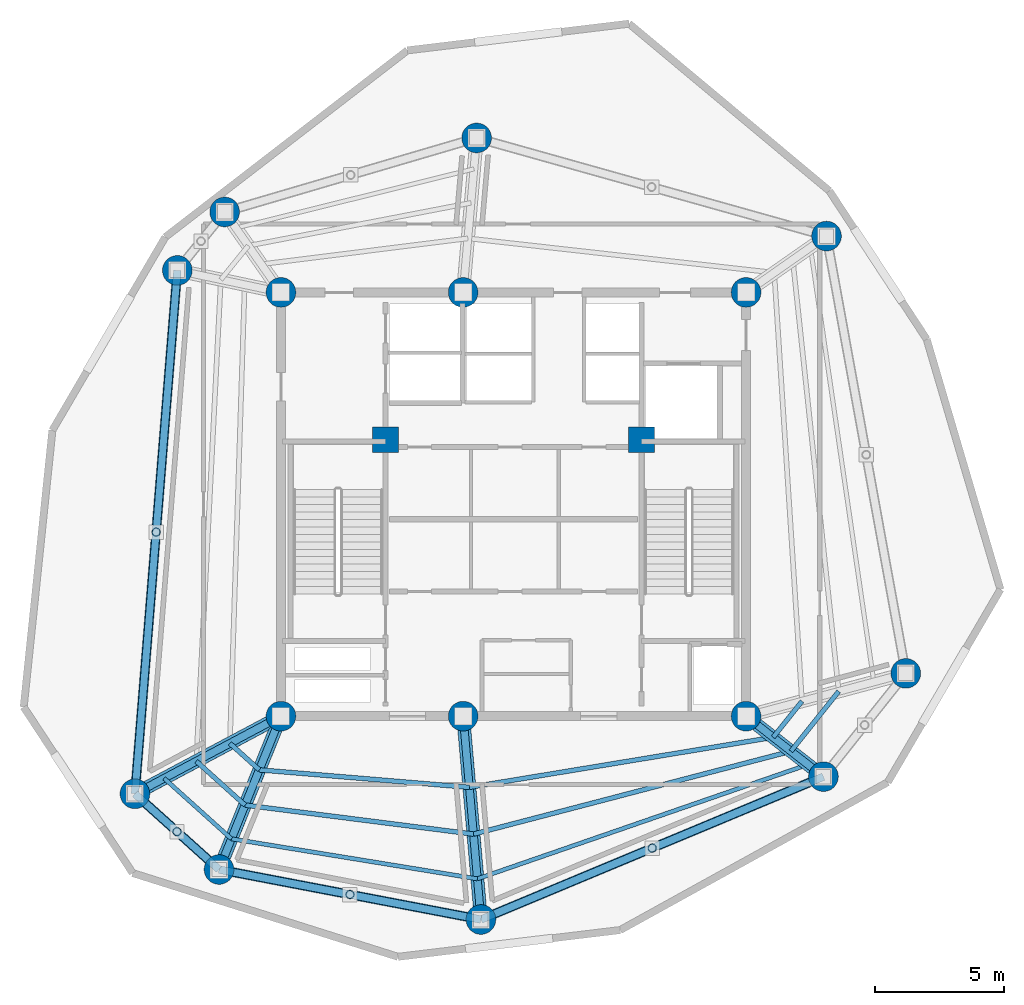
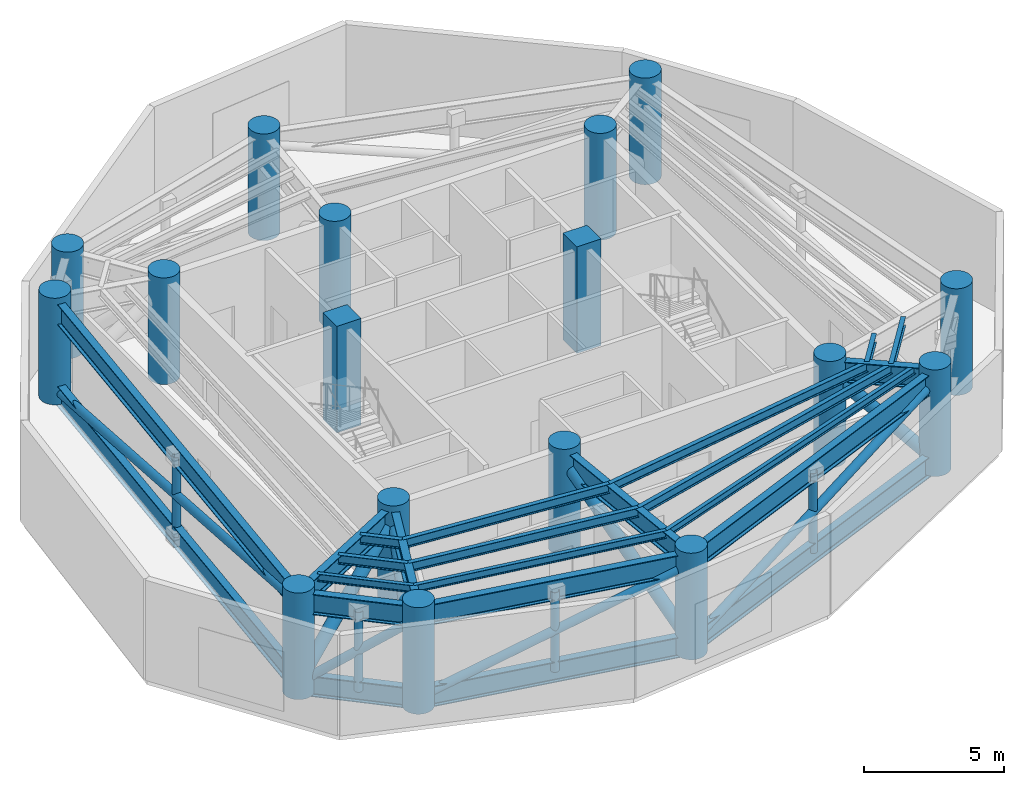
# One storey, part 1 of 8: 19 beams, 17 columns, 16 members.
"""IFC4 building model written with IfcOpenShell, lengths in metres."""

from ifc_helpers import new_model, si_unit, direction, frame, origin, origin_with_axes, origin_2d, place, context, subcontext, project, spatial, rectangle, circle, hollow_circle, i_section, extrude, source, transform, mapped, material, material_profile, profile_set, type_object, element, save


model = new_model("IFC4")

# Units and contexts
model_context = context("Model", 3, precision=1e-05, world=origin(), true_north=direction((0.0, 1.0)))
body_context = subcontext(model_context, "Body", "Model", "MODEL_VIEW")
ifc_project = project(units=[si_unit("LENGTHUNIT", "METRE"), si_unit("AREAUNIT", "SQUARE_METRE"), si_unit("VOLUMEUNIT", "CUBIC_METRE"), si_unit("PLANEANGLEUNIT", "RADIAN"), si_unit("MASSUNIT", "GRAM", prefix="KILO")], contexts=[model_context])

# Site, building, storey
site_placement = place(None, origin())
site = spatial("IfcSite", under=ifc_project, at=site_placement, CompositionType="ELEMENT")
building_placement = place(site_placement, origin())
building = spatial("IfcBuilding", under=site, at=building_placement, Name="Karkom Vertical University and Central Library", CompositionType="ELEMENT")
storey_placement = place(building_placement, frame((0.0, 0.0, 268.75)))
storey = spatial("IfcBuildingStorey", under=building, at=storey_placement, Name="P80", CompositionType="ELEMENT", Elevation=268.75)

# Columns
ifc_material_1 = material(Name="Concrete C45/55", Category="concrete")
ifc_material_profile_1 = material_profile(ifc_material_1, circle(Radius=0.574951171875, at=origin_2d()), Name="CFT-D1150")
ifc_profile_set_1 = profile_set([ifc_material_profile_1], Name="Concrete C45/55")
column_type_1 = type_object("IfcColumnType", Name="STR-COL-C-SC5", PredefinedType="COLUMN", material=ifc_profile_set_1)
shared_shape_1 = source(origin_with_axes(), body_context, "Body", "SweptSolid", [
    extrude(circle(Radius=0.574951171875, at=origin_2d()), origin(), (0.0, 0.0, 1.0), 4.64990234375),
])
for number, where, z_axis, x_axis, name in (
    (1, (19.5, 18.300048828125, 0.0), (0.0, 0.0, 1.0), (1.0, 0.0, 0.0), "Plant Level 80 Spine Mega-Column SC-1"),
    (2, (26.550048828125, 18.300048828125, 0.0), (0.0, 0.0, 1.0), (1.0, 0.0, 0.0), "Plant Level 80 Spine Mega-Column SC-2"),
    (3, (37.5, 18.300048828125, 0.0), (0.0, 0.0, 1.0), (1.0, 0.0, 0.0), "Plant Level 80 Spine Mega-Column SC-3"),
    (4, (19.5, 34.699951171875, 0.0), (0.0, 0.0, 1.0), (1.0, 0.0, 0.0), "Plant Level 80 Spine Mega-Column SC-4"),
    (5, (26.550048828125, 34.699951171875, 0.0), (0.0, 0.0, 1.0), (1.0, 0.0, 0.0), "Plant Level 80 Spine Mega-Column SC-5"),
    (6, (37.5, 34.699951171875, 0.0), (0.0, 0.0, 1.0), (1.0, 0.0, 0.0), "Plant Level 80 Spine Mega-Column SC-6"),
    (7, (43.681884765625, 19.9560546875, 0.0), (0.0, 0.0, 1.0), (1.0, 0.0, 0.0), "Plant Level 80 Perimeter Mega-Column Z4-PC1"),
    (8, (40.613037109375, 36.8798828125, 0.0), (0.0, 0.0, 1.0), (1.0, 0.0, 0.0), "Plant Level 80 Perimeter Mega-Column Z4-PC2"),
    (9, (27.072998046875, 40.677001953125, 0.0), (0.0, 0.0, 1.0), (1.0, 0.0, 0.0), "Plant Level 80 Perimeter Mega-Column Z4-PC3"),
    (10, (17.320068359375, 37.81298828125, 0.0), (0.0, 0.0, 1.0), (1.0, 0.0, 0.0), "Plant Level 80 Perimeter Mega-Column Z4-PC4"),
    (11, (15.489990234375, 35.552001953125, 0.0), (0.0, 0.0, 1.0), (1.0, 0.0, 0.0), "Plant Level 80 Perimeter Mega-Column Z4-PC5"),
    (12, (13.84912109375, 15.294921875, 0.0), (0.0, 0.0, 1.0), (1.0, 0.0, 0.0), "Plant Level 80 Perimeter Mega-Column Z4-PC6"),
    (13, (17.10302734375, 12.365966796875, 0.0), (0.0, 0.0, 1.0), (1.0, 0.0, 0.0), "Plant Level 80 Perimeter Mega-Column Z4-PC7"),
    (14, (27.239013671875, 10.429931640625, 0.0), (0.0, 0.0, 1.0), (1.0, 0.0, 0.0), "Plant Level 80 Perimeter Mega-Column Z4-PC8"),
    (15, (40.493896484375, 15.9599609375, 0.0), (0.0, 0.0, 1.0), (1.0, 0.0, 0.0), "Plant Level 80 Perimeter Mega-Column Z4-PC9"),
):
    element("IfcColumn", number, at=place(storey_placement, frame(where, z_axis=z_axis, x_axis=x_axis)), inside=storey, type_object=column_type_1, Name=name, PredefinedType="COLUMN", context=body_context, shape_type="MappedRepresentation", body=[
        mapped(shared_shape_1, transform((0.0, 0.0, 0.0), scale=1.0)),
    ])
ifc_material_2 = material(Name="Concrete C50/60", Category="concrete")
ifc_material_profile_2 = material_profile(ifc_material_2, rectangle(XDim=1.0, YDim=1.0, at=origin_2d()), Name="RC-1000x1000")
ifc_profile_set_2 = profile_set([ifc_material_profile_2], Name="Concrete C50/60")
column_type_2 = type_object("IfcColumnType", Name="STR-COL-C-CC2", PredefinedType="COLUMN", material=ifc_profile_set_2)
shared_shape_2 = source(origin_with_axes(), body_context, "Body", "SweptSolid", [
    extrude(rectangle(XDim=1.0, YDim=1.0, at=origin_2d()), origin(), (0.0, 0.0, 1.0), 4.64990234375),
])
for number, where, z_axis, x_axis, name in (
    (16, (23.550048828125, 29.0, 0.0), (0.0, 0.0, 1.0), (1.0, 0.0, 0.0), "Plant Level 80 Core Node Column CC-1"),
    (17, (33.449951171875, 29.0, 0.0), (0.0, 0.0, 1.0), (1.0, 0.0, 0.0), "Plant Level 80 Core Node Column CC-2"),
):
    element("IfcColumn", number, at=place(storey_placement, frame(where, z_axis=z_axis, x_axis=x_axis)), inside=storey, type_object=column_type_2, Name=name, PredefinedType="COLUMN", context=body_context, shape_type="MappedRepresentation", body=[
        mapped(shared_shape_2, transform((0.0, 0.0, 0.0), scale=1.0)),
    ])

# Beams
ifc_material_3 = material(Name="Steel S355", Category="steel")
ifc_material_profile_3 = material_profile(ifc_material_3, i_section(OverallWidth=0.179931640625, OverallDepth=0.39990234375, WebThickness=0.008544921875, FlangeThickness=0.013427734375, FilletRadius=0.02099609375, at=origin_2d()), Name="IPE 400")
ifc_profile_set_3 = profile_set([ifc_material_profile_3], Name="Steel S355")
beam_type_1 = type_object("IfcBeamType", Name="STR-BM-SB-IPE400", PredefinedType="BEAM", material=ifc_profile_set_3)
shared_shape_3 = source(origin_with_axes(), body_context, "Body", "SweptSolid", [
    extrude(i_section(OverallWidth=0.179931640625, OverallDepth=0.39990234375, WebThickness=0.008544921875, FlangeThickness=0.013427734375, FilletRadius=0.02099609375, at=origin_2d()), origin(), (0.0, 0.0, 1.0), 1.5322265625),
])
beam_1_placement = place(storey_placement, frame((17.522216796875, 17.248291015625, 4.175048828125), z_axis=(0.743183211059, -0.669087972392, 0.0), x_axis=(0.669087972392, 0.743183211059, 0.0)))
element("IfcBeam", 18, at=beam_1_placement, inside=storey, type_object=beam_type_1, Name="Plant Level 80 Secondary Composite Floor Beam 1.06", PredefinedType="BEAM", context=body_context, shape_type="MappedRepresentation", body=[
    mapped(shared_shape_3, transform((0.0, 0.0, 0.0), scale=1.0)),
])
shared_shape_4 = source(origin_with_axes(), body_context, "Body", "SweptSolid", [
    extrude(i_section(OverallWidth=0.179931640625, OverallDepth=0.39990234375, WebThickness=0.008544921875, FlangeThickness=0.013427734375, FilletRadius=0.02099609375, at=origin_2d()), origin(), (0.0, 0.0, 1.0), 8.15869140625),
])
beam_2_placement = place(storey_placement, frame((18.660888671875, 16.22314453125, 4.175048828125), z_axis=(0.996543694183, -0.083070244882, 0.0), x_axis=(0.083070244882, 0.996543694183, 0.0)))
element("IfcBeam", 19, at=beam_2_placement, inside=storey, type_object=beam_type_1, Name="Plant Level 80 Secondary Composite Floor Beam 1.07", PredefinedType="BEAM", context=body_context, shape_type="MappedRepresentation", body=[
    mapped(shared_shape_4, transform((0.0, 0.0, 0.0), scale=1.0)),
])
shared_shape_5 = source(origin_with_axes(), body_context, "Body", "SweptSolid", [
    extrude(i_section(OverallWidth=0.179931640625, OverallDepth=0.39990234375, WebThickness=0.008544921875, FlangeThickness=0.013427734375, FilletRadius=0.02099609375, at=origin_2d()), origin(), (0.0, 0.0, 1.0), 11.914794921875),
])
beam_3_placement = place(storey_placement, frame((26.791259765625, 15.54541015625, 4.175048828125), z_axis=(0.986717073469, 0.162448197663, 0.0), x_axis=(-0.162448197663, 0.986717073469, 0.0)))
element("IfcBeam", 20, at=beam_3_placement, inside=storey, type_object=beam_type_1, Name="Plant Level 80 Secondary Composite Floor Beam 1.08", PredefinedType="BEAM", context=body_context, shape_type="MappedRepresentation", body=[
    mapped(shared_shape_5, transform((0.0, 0.0, 0.0), scale=1.0)),
])
shared_shape_6 = source(origin_with_axes(), body_context, "Body", "SweptSolid", [
    extrude(i_section(OverallWidth=0.179931640625, OverallDepth=0.39990234375, WebThickness=0.008544921875, FlangeThickness=0.013427734375, FilletRadius=0.02099609375, at=origin_2d()), origin(), (0.0, 0.0, 1.0), 1.789306640625),
])
beam_4_placement = place(storey_placement, frame((38.5478515625, 17.48095703125, 4.175048828125), z_axis=(0.623679519349, 0.781680150154, 0.0), x_axis=(-0.781680150154, 0.623679519349, 0.0)))
element("IfcBeam", 21, at=beam_4_placement, inside=storey, type_object=beam_type_1, Name="Plant Level 80 Secondary Composite Floor Beam 1.09", PredefinedType="BEAM", context=body_context, shape_type="MappedRepresentation", body=[
    mapped(shared_shape_6, transform((0.0, 0.0, 0.0), scale=1.0)),
])
shared_shape_7 = source(origin_with_axes(), body_context, "Body", "SweptSolid", [
    extrude(i_section(OverallWidth=0.179931640625, OverallDepth=0.39990234375, WebThickness=0.008544921875, FlangeThickness=0.013427734375, FilletRadius=0.02099609375, at=origin_2d()), origin(), (0.0, 0.0, 1.0), 2.5390625),
])
beam_5_placement = place(storey_placement, frame((16.222412109375, 16.55712890625, 4.175048828125), z_axis=(0.743246334517, -0.669017851949, 0.0), x_axis=(0.669017851949, 0.743246334517, 0.0)))
element("IfcBeam", 22, at=beam_5_placement, inside=storey, type_object=beam_type_1, Name="Plant Level 80 Secondary Composite Floor Beam 2.06", PredefinedType="BEAM", context=body_context, shape_type="MappedRepresentation", body=[
    mapped(shared_shape_7, transform((0.0, 0.0, 0.0), scale=1.0)),
])
shared_shape_8 = source(origin_with_axes(), body_context, "Body", "SweptSolid", [
    extrude(i_section(OverallWidth=0.179931640625, OverallDepth=0.39990234375, WebThickness=0.008544921875, FlangeThickness=0.013427734375, FilletRadius=0.02099609375, at=origin_2d()), origin(), (0.0, 0.0, 1.0), 8.9111328125),
])
beam_6_placement = place(storey_placement, frame((18.109619140625, 14.8583984375, 4.175048828125), z_axis=(0.992026771403, -0.126027317751, 0.0), x_axis=(0.126027317751, 0.992026771403, 0.0)))
element("IfcBeam", 23, at=beam_6_placement, inside=storey, type_object=beam_type_1, Name="Plant Level 80 Secondary Composite Floor Beam 2.07", PredefinedType="BEAM", context=body_context, shape_type="MappedRepresentation", body=[
    mapped(shared_shape_8, transform((0.0, 0.0, 0.0), scale=1.0)),
])
shared_shape_9 = source(origin_with_axes(), body_context, "Body", "SweptSolid", [
    extrude(i_section(OverallWidth=0.179931640625, OverallDepth=0.39990234375, WebThickness=0.008544921875, FlangeThickness=0.013427734375, FilletRadius=0.02099609375, at=origin_2d()), origin(), (0.0, 0.0, 1.0), 12.69873046875),
])
beam_7_placement = place(storey_placement, frame((26.94970703125, 13.7353515625, 4.175048828125), z_axis=(0.967573974729, 0.252587813301, 0.0), x_axis=(-0.252587813301, 0.967573974729, 0.0)))
element("IfcBeam", 24, at=beam_7_placement, inside=storey, type_object=beam_type_1, Name="Plant Level 80 Secondary Composite Floor Beam 2.08", PredefinedType="BEAM", context=body_context, shape_type="MappedRepresentation", body=[
    mapped(shared_shape_9, transform((0.0, 0.0, 0.0), scale=1.0)),
])
shared_shape_10 = source(origin_with_axes(), body_context, "Body", "SweptSolid", [
    extrude(i_section(OverallWidth=0.179931640625, OverallDepth=0.39990234375, WebThickness=0.008544921875, FlangeThickness=0.013427734375, FilletRadius=0.02099609375, at=origin_2d()), origin(), (0.0, 0.0, 1.0), 2.96484375),
])
beam_8_placement = place(storey_placement, frame((39.236572265625, 16.94287109375, 4.175048828125), z_axis=(0.623670236397, 0.781687556657, 0.0), x_axis=(-0.781687556657, 0.623670236397, 0.0)))
element("IfcBeam", 25, at=beam_8_placement, inside=storey, type_object=beam_type_1, Name="Plant Level 80 Secondary Composite Floor Beam 2.09", PredefinedType="BEAM", context=body_context, shape_type="MappedRepresentation", body=[
    mapped(shared_shape_10, transform((0.0, 0.0, 0.0), scale=1.0)),
])
ifc_material_profile_4 = material_profile(ifc_material_3, i_section(OverallWidth=0.159912109375, OverallDepth=0.330078125, WebThickness=0.007568359375, FlangeThickness=0.011474609375, FilletRadius=0.01806640625, at=origin_2d()), Name="IPE 330")
ifc_profile_set_4 = profile_set([ifc_material_profile_4], Name="Steel S355")
beam_type_2 = type_object("IfcBeamType", Name="STR-BM-SB-IPE330", PredefinedType="BEAM", material=ifc_profile_set_4)
shared_shape_11 = source(origin_with_axes(), body_context, "Body", "SweptSolid", [
    extrude(i_section(OverallWidth=0.159912109375, OverallDepth=0.330078125, WebThickness=0.007568359375, FlangeThickness=0.011474609375, FilletRadius=0.01806640625, at=origin_2d()), origin(), (0.0, 0.0, 1.0), 3.50244140625),
])
beam_9_placement = place(storey_placement, frame((14.979248046875, 15.89599609375, 4.2099609375), z_axis=(0.743249087562, -0.669014793437, 0.0), x_axis=(0.669014793437, 0.743249087562, 0.0)))
element("IfcBeam", 26, at=beam_9_placement, inside=storey, type_object=beam_type_2, Name="Plant Level 80 Secondary Composite Floor Beam 3.06", PredefinedType="BEAM", context=body_context, shape_type="MappedRepresentation", body=[
    mapped(shared_shape_11, transform((0.0, 0.0, 0.0), scale=1.0)),
])
shared_shape_12 = source(origin_with_axes(), body_context, "Body", "SweptSolid", [
    extrude(i_section(OverallWidth=0.159912109375, OverallDepth=0.330078125, WebThickness=0.007568359375, FlangeThickness=0.011474609375, FilletRadius=0.01806640625, at=origin_2d()), origin(), (0.0, 0.0, 1.0), 9.64404296875),
])
beam_10_placement = place(storey_placement, frame((17.58251953125, 13.552734375, 4.2099609375), z_axis=(0.987019497924, -0.160600469231, 0.0), x_axis=(0.160600469231, 0.987019497924, 0.0)))
element("IfcBeam", 27, at=beam_10_placement, inside=storey, type_object=beam_type_2, Name="Plant Level 80 Secondary Composite Floor Beam 3.07", PredefinedType="BEAM", context=body_context, shape_type="MappedRepresentation", body=[
    mapped(shared_shape_12, transform((0.0, 0.0, 0.0), scale=1.0)),
])
shared_shape_13 = source(origin_with_axes(), body_context, "Body", "SweptSolid", [
    extrude(i_section(OverallWidth=0.159912109375, OverallDepth=0.330078125, WebThickness=0.007568359375, FlangeThickness=0.011474609375, FilletRadius=0.01806640625, at=origin_2d()), origin(), (0.0, 0.0, 1.0), 13.537353515625),
])
beam_11_placement = place(storey_placement, frame((27.101318359375, 12.00390625, 4.2099609375), z_axis=(0.945091088216, 0.32680703018, 0.0), x_axis=(-0.32680703018, 0.945091088216, 0.0)))
element("IfcBeam", 28, at=beam_11_placement, inside=storey, type_object=beam_type_2, Name="Plant Level 80 Secondary Composite Floor Beam 3.08", PredefinedType="BEAM", context=body_context, shape_type="MappedRepresentation", body=[
    mapped(shared_shape_13, transform((0.0, 0.0, 0.0), scale=1.0)),
])
ifc_material_4 = material(Name="Steel S460", Category="steel")
ifc_material_profile_5 = material_profile(ifc_material_4, i_section(OverallWidth=0.300048828125, OverallDepth=0.89990234375, WebThickness=0.0185546875, FlangeThickness=0.034912109375, FilletRadius=0.030029296875, at=origin_2d()), Name="HE 900 B")
ifc_profile_set_5 = profile_set([ifc_material_profile_5], Name="Steel S460")
beam_type_3 = type_object("IfcBeamType", Name="STR-BM-SB-HE900", PredefinedType="USERDEFINED", material=ifc_profile_set_5)
shared_shape_14 = source(origin_with_axes(), body_context, "Body", "SweptSolid", [
    extrude(i_section(OverallWidth=0.300048828125, OverallDepth=0.89990234375, WebThickness=0.0185546875, FlangeThickness=0.034912109375, FilletRadius=0.030029296875, at=origin_2d()), origin(), (0.0, 0.0, 1.0), 6.39990234375),
])
beam_12_placement = place(storey_placement, frame((19.5, 18.300048828125, 3.925048828125), z_axis=(-0.374532429749, -0.927213815183, 0.0), x_axis=(0.927213815183, -0.374532429749, 0.0)))
element("IfcBeam", 29, at=beam_12_placement, inside=storey, type_object=beam_type_3, Name="Plant Level 80 Radial Frame Girder 07", ObjectType="GIRDER", PredefinedType="USERDEFINED", context=body_context, shape_type="MappedRepresentation", body=[
    mapped(shared_shape_14, transform((0.0, 0.0, 0.0), scale=1.0)),
])
shared_shape_15 = source(origin_with_axes(), body_context, "Body", "SweptSolid", [
    extrude(i_section(OverallWidth=0.300048828125, OverallDepth=0.89990234375, WebThickness=0.0185546875, FlangeThickness=0.034912109375, FilletRadius=0.030029296875, at=origin_2d()), origin(), (0.0, 0.0, 1.0), 6.400146484375),
])
beam_13_placement = place(storey_placement, frame((19.5, 18.300048828125, 3.925048828125), z_axis=(-0.882915120857, -0.469532628645, 0.0), x_axis=(0.469532628645, -0.882915120857, 0.0)))
element("IfcBeam", 30, at=beam_13_placement, inside=storey, type_object=beam_type_3, Name="Plant Level 80 Radial Frame Girder 06", ObjectType="GIRDER", PredefinedType="USERDEFINED", context=body_context, shape_type="MappedRepresentation", body=[
    mapped(shared_shape_15, transform((0.0, 0.0, 0.0), scale=1.0)),
])
shared_shape_16 = source(origin_with_axes(), body_context, "Body", "SweptSolid", [
    extrude(i_section(OverallWidth=0.300048828125, OverallDepth=0.89990234375, WebThickness=0.0185546875, FlangeThickness=0.034912109375, FilletRadius=0.030029296875, at=origin_2d()), origin(), (0.0, 0.0, 1.0), 7.900146484375),
])
beam_14_placement = place(storey_placement, frame((26.550048828125, 18.300048828125, 3.925048828125), z_axis=(0.087208352312, -0.996190093951, 0.0), x_axis=(0.996190093951, 0.087208352312, 0.0)))
element("IfcBeam", 31, at=beam_14_placement, inside=storey, type_object=beam_type_3, Name="Plant Level 80 Radial Frame Girder 08", ObjectType="GIRDER", PredefinedType="USERDEFINED", context=body_context, shape_type="MappedRepresentation", body=[
    mapped(shared_shape_16, transform((0.0, 0.0, 0.0), scale=1.0)),
])
shared_shape_17 = source(origin_with_axes(), body_context, "Body", "SweptSolid", [
    extrude(i_section(OverallWidth=0.300048828125, OverallDepth=0.89990234375, WebThickness=0.0185546875, FlangeThickness=0.034912109375, FilletRadius=0.030029296875, at=origin_2d()), origin(), (0.0, 0.0, 1.0), 3.7998046875),
])
beam_15_placement = place(storey_placement, frame((37.5, 18.300048828125, 3.925048828125), z_axis=(0.787883114707, -0.61582481077, 0.0), x_axis=(0.61582481077, 0.787883114707, 0.0)))
element("IfcBeam", 32, at=beam_15_placement, inside=storey, type_object=beam_type_3, Name="Plant Level 80 Radial Frame Girder 09", ObjectType="GIRDER", PredefinedType="USERDEFINED", context=body_context, shape_type="MappedRepresentation", body=[
    mapped(shared_shape_17, transform((0.0, 0.0, 0.0), scale=1.0)),
])
shared_shape_18 = source(origin_with_axes(), body_context, "Body", "SweptSolid", [
    extrude(i_section(OverallWidth=0.300048828125, OverallDepth=0.89990234375, WebThickness=0.0185546875, FlangeThickness=0.034912109375, FilletRadius=0.030029296875, at=origin_2d()), origin(), (0.0, 0.0, 1.0), 20.323486328125),
])
beam_16_placement = place(storey_placement, frame((15.489990234375, 35.552001953125, 3.925048828125), z_axis=(-0.080737811681, -0.996735373991, 0.0), x_axis=(0.996735373991, -0.080737811681, 0.0)))
element("IfcBeam", 33, at=beam_16_placement, inside=storey, type_object=beam_type_3, Name="Plant Level 80 Perimeter Spandrel Beam 05", ObjectType="GIRDER", PredefinedType="USERDEFINED", context=body_context, shape_type="MappedRepresentation", body=[
    mapped(shared_shape_18, transform((0.0, 0.0, 0.0), scale=1.0)),
])
shared_shape_19 = source(origin_with_axes(), body_context, "Body", "SweptSolid", [
    extrude(i_section(OverallWidth=0.300048828125, OverallDepth=0.89990234375, WebThickness=0.0185546875, FlangeThickness=0.034912109375, FilletRadius=0.030029296875, at=origin_2d()), origin(), (0.0, 0.0, 1.0), 4.3779296875),
])
beam_17_placement = place(storey_placement, frame((13.84912109375, 15.294921875, 3.925048828125), z_axis=(0.743244232405, -0.669020187287, 0.0), x_axis=(0.669020187287, 0.743244232405, 0.0)))
element("IfcBeam", 34, at=beam_17_placement, inside=storey, type_object=beam_type_3, Name="Plant Level 80 Perimeter Spandrel Beam 06", ObjectType="GIRDER", PredefinedType="USERDEFINED", context=body_context, shape_type="MappedRepresentation", body=[
    mapped(shared_shape_19, transform((0.0, 0.0, 0.0), scale=1.0)),
])
shared_shape_20 = source(origin_with_axes(), body_context, "Body", "SweptSolid", [
    extrude(i_section(OverallWidth=0.300048828125, OverallDepth=0.89990234375, WebThickness=0.0185546875, FlangeThickness=0.034912109375, FilletRadius=0.030029296875, at=origin_2d()), origin(), (0.0, 0.0, 1.0), 10.3193359375),
])
beam_18_placement = place(storey_placement, frame((17.10302734375, 12.365966796875, 3.925048828125), z_axis=(0.982242767385, -0.187614354249, 0.0), x_axis=(0.187614354249, 0.982242767385, 0.0)))
element("IfcBeam", 35, at=beam_18_placement, inside=storey, type_object=beam_type_3, Name="Plant Level 80 Perimeter Spandrel Beam 07", ObjectType="GIRDER", PredefinedType="USERDEFINED", context=body_context, shape_type="MappedRepresentation", body=[
    mapped(shared_shape_20, transform((0.0, 0.0, 0.0), scale=1.0)),
])
shared_shape_21 = source(origin_with_axes(), body_context, "Body", "SweptSolid", [
    extrude(i_section(OverallWidth=0.300048828125, OverallDepth=0.89990234375, WebThickness=0.0185546875, FlangeThickness=0.034912109375, FilletRadius=0.030029296875, at=origin_2d()), origin(), (0.0, 0.0, 1.0), 14.3623046875),
])
beam_19_placement = place(storey_placement, frame((27.239013671875, 10.429931640625, 3.925048828125), z_axis=(0.922899796194, 0.385040213725, 0.0), x_axis=(-0.385040213725, 0.922899796194, 0.0)))
element("IfcBeam", 36, at=beam_19_placement, inside=storey, type_object=beam_type_3, Name="Plant Level 80 Perimeter Spandrel Beam 08", ObjectType="GIRDER", PredefinedType="USERDEFINED", context=body_context, shape_type="MappedRepresentation", body=[
    mapped(shared_shape_21, transform((0.0, 0.0, 0.0), scale=1.0)),
])

# Members
ifc_material_profile_6 = material_profile(ifc_material_3, hollow_circle(Radius=0.161865234375, WallThickness=0.01611328125, at=origin_2d()), Name="CHS 323.9x16")
ifc_profile_set_6 = profile_set([ifc_material_profile_6], Name="Steel S355")
member_type_1 = type_object("IfcMemberType", Name="STR-MEM-PT-1", PredefinedType="POST", material=ifc_profile_set_6)
shared_shape_22 = source(origin_with_axes(), body_context, "Body", "SweptSolid", [
    extrude(hollow_circle(Radius=0.161865234375, WallThickness=0.01611328125, at=origin_2d()), origin(), (0.0, 0.0, 1.0), 3.474853515625),
])
for number, where, z_axis, x_axis, name in (
    (37, (14.66943359375, 25.423583984375, 0.35009765625), (0.0, 0.0, 1.0), (1.0, 0.0, 0.0), "Plant Level 80 Belt Truss Web Post 05"),
    (38, (15.47607421875, 13.83056640625, 0.35009765625), (0.0, 0.0, 1.0), (1.0, 0.0, 0.0), "Plant Level 80 Belt Truss Web Post 06"),
    (39, (22.1708984375, 11.39794921875, 0.35009765625), (0.0, 0.0, 1.0), (1.0, 0.0, 0.0), "Plant Level 80 Belt Truss Web Post 07"),
    (40, (33.866455078125, 13.195068359375, 0.35009765625), (0.0, 0.0, 1.0), (1.0, 0.0, 0.0), "Plant Level 80 Belt Truss Web Post 08"),
):
    element("IfcMember", number, at=place(storey_placement, frame(where, z_axis=z_axis, x_axis=x_axis)), inside=storey, type_object=member_type_1, Name=name, PredefinedType="POST", context=body_context, shape_type="MappedRepresentation", body=[
        mapped(shared_shape_22, transform((0.0, 0.0, 0.0), scale=1.0)),
    ])
ifc_material_profile_7 = material_profile(ifc_material_3, hollow_circle(Radius=0.177734375, WallThickness=0.01611328125, at=origin_2d()), Name="CHS 355.6x16")
ifc_profile_set_7 = profile_set([ifc_material_profile_7], Name="Steel S355")
member_type_2 = type_object("IfcMemberType", Name="STR-MEM-BR-3", PredefinedType="BRACE", material=ifc_profile_set_7)
shared_shape_23 = source(origin_with_axes(), body_context, "Body", "SweptSolid", [
    extrude(hollow_circle(Radius=0.177734375, WallThickness=0.01611328125, at=origin_2d()), origin(), (0.0, 0.0, 1.0), 20.618408203125),
])
member_1_placement = place(storey_placement, frame((15.489990234375, 35.552001953125, 0.35009765625), z_axis=(-0.079582951602, -0.982478238841, 0.168532086021), x_axis=(0.996735373991, -0.080737811681, 0.0)))
element("IfcMember", 41, at=member_1_placement, inside=storey, type_object=member_type_2, Name="Plant Level 80 Belt Truss Diagonal Brace 05", PredefinedType="BRACE", context=body_context, shape_type="MappedRepresentation", body=[
    mapped(shared_shape_23, transform((0.0, 0.0, 0.0), scale=1.0)),
])
ifc_material_profile_8 = material_profile(ifc_material_4, i_section(OverallWidth=0.300048828125, OverallDepth=0.89990234375, WebThickness=0.0185546875, FlangeThickness=0.034912109375, FilletRadius=0.030029296875, at=origin_2d()), Name="HE 900 B")
ifc_profile_set_8 = profile_set([ifc_material_profile_8], Name="Steel S460")
member_type_3 = type_object("IfcMemberType", Name="STR-MEM-CH-1", PredefinedType="CHORD", material=ifc_profile_set_8)
shared_shape_24 = source(origin_with_axes(), body_context, "Body", "SweptSolid", [
    extrude(i_section(OverallWidth=0.300048828125, OverallDepth=0.89990234375, WebThickness=0.0185546875, FlangeThickness=0.034912109375, FilletRadius=0.030029296875, at=origin_2d()), origin(), (0.0, 0.0, 1.0), 20.323486328125),
])
member_2_placement = place(storey_placement, frame((15.489990234375, 35.552001953125, 0.35009765625), z_axis=(-0.080737811681, -0.996735373991, 0.0), x_axis=(0.996735373991, -0.080737811681, 0.0)))
element("IfcMember", 42, at=member_2_placement, inside=storey, type_object=member_type_3, Name="Plant Level 80 Belt Truss Bottom Chord 05", PredefinedType="CHORD", context=body_context, shape_type="MappedRepresentation", body=[
    mapped(shared_shape_24, transform((0.0, 0.0, 0.0), scale=1.0)),
])
shared_shape_25 = source(origin_with_axes(), body_context, "Body", "SweptSolid", [
    extrude(hollow_circle(Radius=0.177734375, WallThickness=0.01611328125, at=origin_2d()), origin(), (0.0, 0.0, 1.0), 5.58935546875),
])
member_3_placement = place(storey_placement, frame((13.84912109375, 15.294921875, 0.35009765625), z_axis=(0.582157574112, -0.524020439423, 0.621687331358), x_axis=(0.669020187287, 0.743244232405, 0.0)))
element("IfcMember", 43, at=member_3_placement, inside=storey, type_object=member_type_2, Name="Plant Level 80 Belt Truss Diagonal Brace 06", PredefinedType="BRACE", context=body_context, shape_type="MappedRepresentation", body=[
    mapped(shared_shape_25, transform((0.0, 0.0, 0.0), scale=1.0)),
])
shared_shape_26 = source(origin_with_axes(), body_context, "Body", "SweptSolid", [
    extrude(i_section(OverallWidth=0.300048828125, OverallDepth=0.89990234375, WebThickness=0.0185546875, FlangeThickness=0.034912109375, FilletRadius=0.030029296875, at=origin_2d()), origin(), (0.0, 0.0, 1.0), 4.3779296875),
])
member_4_placement = place(storey_placement, frame((13.84912109375, 15.294921875, 0.35009765625), z_axis=(0.743244232405, -0.669020187287, 0.0), x_axis=(0.669020187287, 0.743244232405, 0.0)))
element("IfcMember", 44, at=member_4_placement, inside=storey, type_object=member_type_3, Name="Plant Level 80 Belt Truss Bottom Chord 06", PredefinedType="CHORD", context=body_context, shape_type="MappedRepresentation", body=[
    mapped(shared_shape_26, transform((0.0, 0.0, 0.0), scale=1.0)),
])
shared_shape_27 = source(origin_with_axes(), body_context, "Body", "SweptSolid", [
    extrude(hollow_circle(Radius=0.177734375, WallThickness=0.01611328125, at=origin_2d()), origin(), (0.0, 0.0, 1.0), 10.888671875),
])
member_5_placement = place(storey_placement, frame((17.10302734375, 12.365966796875, 0.35009765625), z_axis=(0.930882751253, -0.177804278186, 0.319128410015), x_axis=(0.187614354249, 0.982242767385, 0.0)))
element("IfcMember", 45, at=member_5_placement, inside=storey, type_object=member_type_2, Name="Plant Level 80 Belt Truss Diagonal Brace 07", PredefinedType="BRACE", context=body_context, shape_type="MappedRepresentation", body=[
    mapped(shared_shape_27, transform((0.0, 0.0, 0.0), scale=1.0)),
])
shared_shape_28 = source(origin_with_axes(), body_context, "Body", "SweptSolid", [
    extrude(i_section(OverallWidth=0.300048828125, OverallDepth=0.89990234375, WebThickness=0.0185546875, FlangeThickness=0.034912109375, FilletRadius=0.030029296875, at=origin_2d()), origin(), (0.0, 0.0, 1.0), 10.3193359375),
])
member_6_placement = place(storey_placement, frame((17.10302734375, 12.365966796875, 0.35009765625), z_axis=(0.982242767385, -0.187614354249, 0.0), x_axis=(0.187614354249, 0.982242767385, 0.0)))
element("IfcMember", 46, at=member_6_placement, inside=storey, type_object=member_type_3, Name="Plant Level 80 Belt Truss Bottom Chord 07", PredefinedType="CHORD", context=body_context, shape_type="MappedRepresentation", body=[
    mapped(shared_shape_28, transform((0.0, 0.0, 0.0), scale=1.0)),
])
shared_shape_29 = source(origin_with_axes(), body_context, "Body", "SweptSolid", [
    extrude(hollow_circle(Radius=0.177734375, WallThickness=0.01611328125, at=origin_2d()), origin(), (0.0, 0.0, 1.0), 14.776611328125),
])
member_7_placement = place(storey_placement, frame((27.239013671875, 10.429931640625, 0.35009765625), z_axis=(0.897018773908, 0.374242471226, 0.235159290669), x_axis=(-0.385040213725, 0.922899796194, 0.0)))
element("IfcMember", 47, at=member_7_placement, inside=storey, type_object=member_type_2, Name="Plant Level 80 Belt Truss Diagonal Brace 08", PredefinedType="BRACE", context=body_context, shape_type="MappedRepresentation", body=[
    mapped(shared_shape_29, transform((0.0, 0.0, 0.0), scale=1.0)),
])
shared_shape_30 = source(origin_with_axes(), body_context, "Body", "SweptSolid", [
    extrude(i_section(OverallWidth=0.300048828125, OverallDepth=0.89990234375, WebThickness=0.0185546875, FlangeThickness=0.034912109375, FilletRadius=0.030029296875, at=origin_2d()), origin(), (0.0, 0.0, 1.0), 14.3623046875),
])
member_8_placement = place(storey_placement, frame((27.239013671875, 10.429931640625, 0.35009765625), z_axis=(0.922899796194, 0.385040213725, 0.0), x_axis=(-0.385040213725, 0.922899796194, 0.0)))
element("IfcMember", 48, at=member_8_placement, inside=storey, type_object=member_type_3, Name="Plant Level 80 Belt Truss Bottom Chord 08", PredefinedType="CHORD", context=body_context, shape_type="MappedRepresentation", body=[
    mapped(shared_shape_30, transform((0.0, 0.0, 0.0), scale=1.0)),
])
ifc_material_profile_9 = material_profile(ifc_material_4, hollow_circle(Radius=0.25390625, WallThickness=0.02490234375, at=origin_2d()), Name="CHS 508x25")
ifc_profile_set_9 = profile_set([ifc_material_profile_9], Name="Steel S460")
member_type_4 = type_object("IfcMemberType", Name="STR-MEM-BR-1", PredefinedType="BRACE", material=ifc_profile_set_9)
shared_shape_31 = source(origin_with_axes(), body_context, "Body", "SweptSolid", [
    extrude(hollow_circle(Radius=0.25390625, WallThickness=0.02490234375, at=origin_2d()), origin(), (0.0, 0.0, 1.0), 7.282470703125),
])
member_9_placement = place(storey_placement, frame((19.5, 18.300048828125, 3.824951171875), z_axis=(-0.329145775423, -0.814852028664, -0.477157447708), x_axis=(0.927213815183, -0.374532429749, 0.0)))
element("IfcMember", 49, at=member_9_placement, inside=storey, type_object=member_type_4, Name="Plant Level 80 Outrigger Truss Diagonal 07", PredefinedType="BRACE", context=body_context, shape_type="MappedRepresentation", body=[
    mapped(shared_shape_31, transform((0.0, 0.0, 0.0), scale=1.0)),
])
shared_shape_32 = source(origin_with_axes(), body_context, "Body", "SweptSolid", [
    extrude(hollow_circle(Radius=0.25390625, WallThickness=0.02490234375, at=origin_2d()), origin(), (0.0, 0.0, 1.0), 7.28271484375),
])
member_10_placement = place(storey_placement, frame((19.5, 18.300048828125, 3.824951171875), z_axis=(-0.775931062443, -0.412638704209, -0.477137596637), x_axis=(0.469532628645, -0.882915120857, 0.0)))
element("IfcMember", 50, at=member_10_placement, inside=storey, type_object=member_type_4, Name="Plant Level 80 Outrigger Truss Diagonal 06", PredefinedType="BRACE", context=body_context, shape_type="MappedRepresentation", body=[
    mapped(shared_shape_32, transform((0.0, 0.0, 0.0), scale=1.0)),
])
shared_shape_33 = source(origin_with_axes(), body_context, "Body", "SweptSolid", [
    extrude(hollow_circle(Radius=0.25390625, WallThickness=0.02490234375, at=origin_2d()), origin(), (0.0, 0.0, 1.0), 8.630615234375),
])
member_11_placement = place(storey_placement, frame((26.550048828125, 18.300048828125, 3.824951171875), z_axis=(0.079827740065, -0.911880591326, -0.402618080914), x_axis=(0.996190093951, 0.087208352312, 0.0)))
element("IfcMember", 51, at=member_11_placement, inside=storey, type_object=member_type_4, Name="Plant Level 80 Outrigger Truss Diagonal 08", PredefinedType="BRACE", context=body_context, shape_type="MappedRepresentation", body=[
    mapped(shared_shape_33, transform((0.0, 0.0, 0.0), scale=1.0)),
])
shared_shape_34 = source(origin_with_axes(), body_context, "Body", "SweptSolid", [
    extrude(hollow_circle(Radius=0.25390625, WallThickness=0.02490234375, at=origin_2d()), origin(), (0.0, 0.0, 1.0), 5.149169921875),
])
member_12_placement = place(storey_placement, frame((37.5, 18.300048828125, 3.824951171875), z_axis=(0.581431922384, -0.454458531848, -0.674836544997), x_axis=(0.61582481077, 0.787883114707, 0.0)))
element("IfcMember", 52, at=member_12_placement, inside=storey, type_object=member_type_4, Name="Plant Level 80 Outrigger Truss Diagonal 09", PredefinedType="BRACE", context=body_context, shape_type="MappedRepresentation", body=[
    mapped(shared_shape_34, transform((0.0, 0.0, 0.0), scale=1.0)),
])

save(model, "model.ifc")
